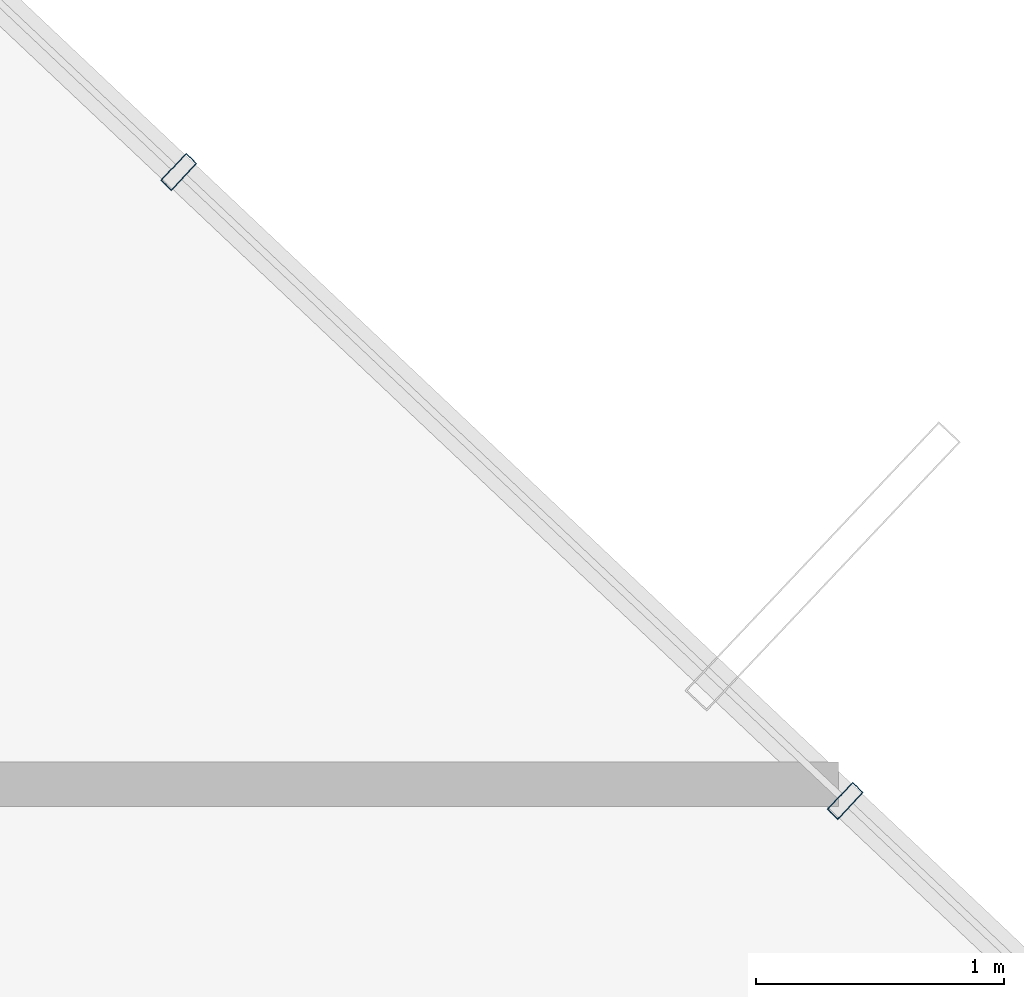
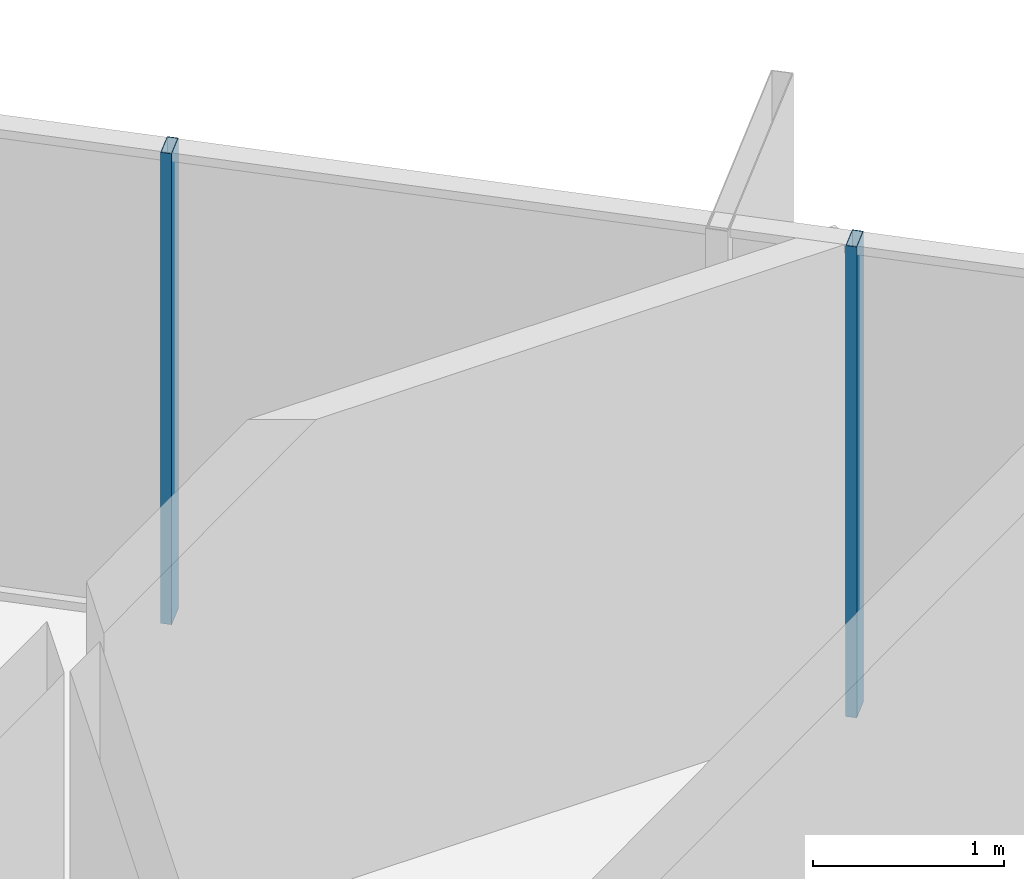
# One storey, part 15 of 28: 2 members, 1 element without a shape of its own.
"""IFC4 building model written with IfcOpenShell, lengths in metres."""

from ifc_helpers import new_model, si_unit, direction, frame, origin, origin_2d, place, context, subcontext, project, spatial, hollow_rectangle, extrude, source, transform, mapped, material, layer, layer_set, material_profile, profile_set, type_object, element, aggregate, save


model = new_model("IFC4")

# Units and contexts
model_context = context("Model", 3, precision=1e-05, world=origin(), true_north=direction((0.0, 1.0)))
body_context = subcontext(model_context, "Body", "Model", "MODEL_VIEW")
ifc_project = project(units=[si_unit("LENGTHUNIT", "METRE"), si_unit("AREAUNIT", "SQUARE_METRE"), si_unit("VOLUMEUNIT", "CUBIC_METRE"), si_unit("PLANEANGLEUNIT", "RADIAN"), si_unit("MASSUNIT", "GRAM", prefix="KILO")], contexts=[model_context])

# Site, building, storey
site_placement = place(None, origin())
site = spatial("IfcSite", under=ifc_project, at=site_placement, CompositionType="ELEMENT")
building_placement = place(site_placement, origin())
building = spatial("IfcBuilding", under=site, at=building_placement, Name="Veraguas Prism Commons", CompositionType="ELEMENT")
storey_placement = place(building_placement, frame((0.0, 0.0, 254.5)))
storey = spatial("IfcBuildingStorey", under=building, at=storey_placement, Name="L72", CompositionType="ELEMENT", Elevation=254.5)

# Curtain wall, members
ifc_material = material(Name="Anodised aluminium EN AW-6063 T6", Category="aluminium")
ifc_layer = layer(ifc_material, 0.14990234375, Name="Unitised Flush Curtain Wall Zone 4", Category="aluminium")
ifc_layer_set = layer_set([ifc_layer], Name="Anodised aluminium EN AW-6063 T6")
curtain_wall_type = type_object("IfcCurtainWallType", Name="Unitised Flush Curtain Wall Zone 4", PredefinedType="NOTDEFINED", material=ifc_layer_set)
curtain_wall_placement = place(storey_placement, origin())
curtain_wall = element("IfcCurtainWall", 1, at=curtain_wall_placement, inside=storey, type_object=curtain_wall_type, Name="Tower Facade Curtain Wall L72-F1", PredefinedType="NOTDEFINED")
ifc_material_profile = material_profile(ifc_material, hollow_rectangle(XDim=0.06005859375, YDim=0.14990234375, WallThickness=0.0029296875, at=origin_2d()), Name="AL60X150X3")
ifc_profile_set = profile_set([ifc_material_profile], Name="Anodised aluminium EN AW-6063 T6")
member_type = type_object("IfcMemberType", Name="Curtain Wall Mullion Upper AL 60x150x3", PredefinedType="MULLION", material=ifc_profile_set)
shared_shape = source(origin(), body_context, "Body", "SweptSolid", [
    extrude(hollow_rectangle(XDim=0.06005859375, YDim=0.14990234375, WallThickness=0.0029296875, at=origin_2d()), origin(), (0.0, 0.0, 1.0), 3.014892578125),
])
member_1_placement = place(storey_placement, frame((37.97802734375, 33.43359375, 0.0), z_axis=(0.0, 0.0, 1.0), x_axis=(-0.727296184535, 0.686323728251, 0.0)))
member_1 = element("IfcMember", 2, at=member_1_placement, type_object=member_type, Name="CW-Z4 Mullion 2", PredefinedType="MULLION", context=body_context, shape_type="MappedRepresentation", body=[
    mapped(shared_shape, transform((0.0, 0.0, 0.0), scale=1.0)),
])
member_2_placement = place(storey_placement, frame((35.293212890625, 35.96728515625, 0.0), z_axis=(0.0, 0.0, 1.0), x_axis=(-0.727296184535, 0.686323728251, 0.0)))
member_2 = element("IfcMember", 3, at=member_2_placement, type_object=member_type, Name="CW-Z4 Mullion 3", PredefinedType="MULLION", context=body_context, shape_type="MappedRepresentation", body=[
    mapped(shared_shape, transform((0.0, 0.0, 0.0), scale=1.0)),
])
aggregate(curtain_wall, [member_1, member_2])

save(model, "model.ifc")
